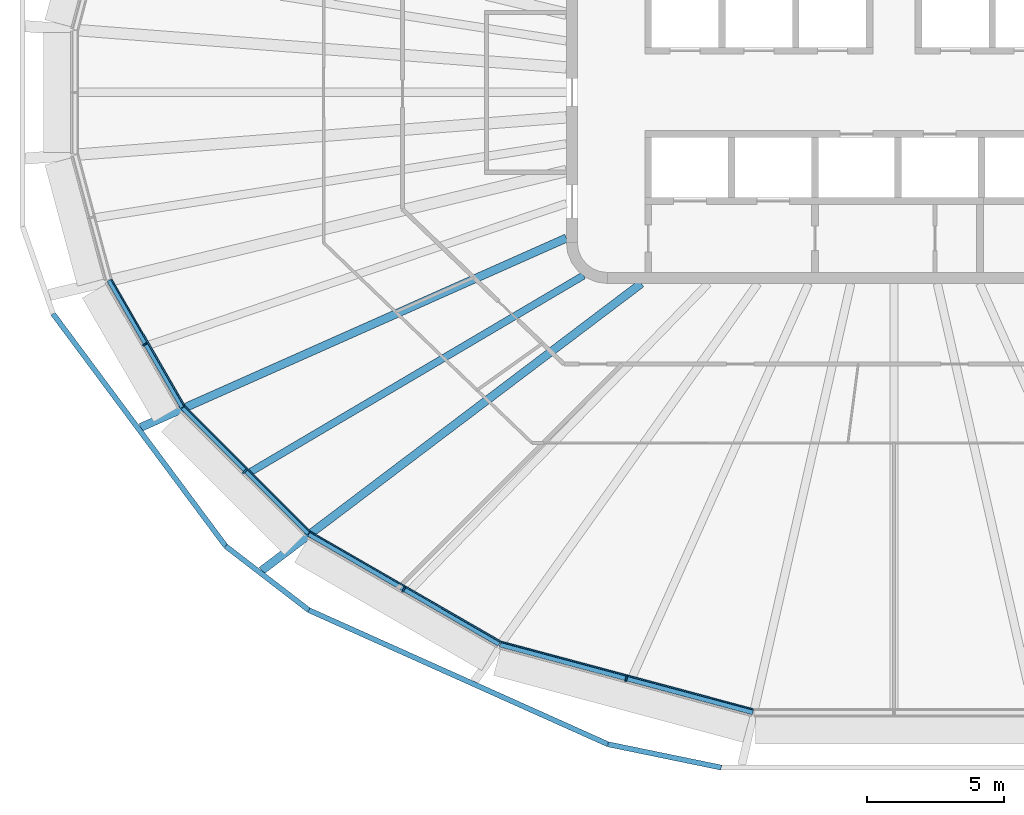
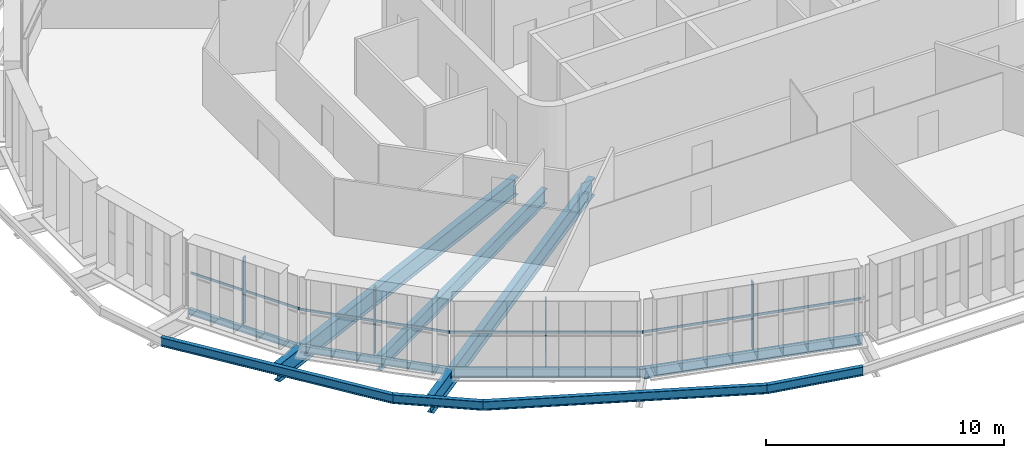
# One storey, part 1 of 21: 11 beams, 8 members, 4 elements without a shape of their own.
"""IFC4 building model written with IfcOpenShell, lengths in metres."""

from ifc_helpers import new_model, si_unit, direction, frame, origin, origin_2d, place, context, subcontext, project, spatial, rectangle, i_section, extrude, material, layer, layer_set, material_profile, profile_set, type_object, element, aggregate, save


model = new_model("IFC4")

# Units and contexts
model_context = context("Model", 3, precision=1e-05, world=origin(), true_north=direction((0.0, 1.0)))
body_context = subcontext(model_context, "Body", "Model", "MODEL_VIEW")
ifc_project = project(units=[si_unit("LENGTHUNIT", "METRE"), si_unit("AREAUNIT", "SQUARE_METRE"), si_unit("VOLUMEUNIT", "CUBIC_METRE"), si_unit("PLANEANGLEUNIT", "RADIAN"), si_unit("MASSUNIT", "GRAM", prefix="KILO")], contexts=[model_context])

# Site, building, storey
site_placement = place(None, origin())
site = spatial("IfcSite", under=ifc_project, at=site_placement, CompositionType="ELEMENT")
building_placement = place(site_placement, origin())
building = spatial("IfcBuilding", under=site, at=building_placement, Name="Sahrelin Media Tower", CompositionType="ELEMENT")
storey_placement = place(building_placement, frame((0.0, 0.0, 263.0)))
storey = spatial("IfcBuildingStorey", under=building, at=storey_placement, Name="L57", CompositionType="ELEMENT", Elevation=263.0)

# Beams
ifc_material_1 = material(Name="Steel S355", Category="steel")
ifc_material_profile_1 = material_profile(ifc_material_1, i_section(OverallWidth=0.1650390625, OverallDepth=0.303466796875, WebThickness=0.006103515625, FlangeThickness=0.01025390625, FilletRadius=0.0087890625, at=origin_2d()), Name="UB 305x165x40")
ifc_profile_set_1 = profile_set([ifc_material_profile_1], Name="Steel S355")
beam_type_1 = type_object("IfcBeamType", Name="Edge beam EB2", PredefinedType="BEAM", material=ifc_profile_set_1)
beam_1_placement = place(storey_placement, frame((-26.064697265625, -11.53662109375, -0.3017578125), z_axis=(-0.499996591357, 0.866027371756, 0.0), x_axis=(-0.866027371756, -0.499996591357, 0.0)))
element("IfcBeam", 1, at=beam_1_placement, inside=storey, type_object=beam_type_1, Name="Edge beam L57-08", PredefinedType="BEAM", context=body_context, shape_type="SweptSolid", body=[
    extrude(i_section(OverallWidth=0.1650390625, OverallDepth=0.303466796875, WebThickness=0.006103515625, FlangeThickness=0.01025390625, FilletRadius=0.0087890625, at=origin_2d()), origin(), (0.0, 0.0, 1.0), 5.37060546875),
])
ifc_material_profile_2 = material_profile(ifc_material_1, i_section(OverallWidth=0.17138671875, OverallDepth=0.35498046875, WebThickness=0.00732421875, FlangeThickness=0.011474609375, FilletRadius=0.01025390625, at=origin_2d()), Name="UB 356x171x51")
ifc_profile_set_2 = profile_set([ifc_material_profile_2], Name="Steel S355")
beam_type_2 = type_object("IfcBeamType", Name="Edge beam EB3", PredefinedType="BEAM", material=ifc_profile_set_2)
beam_2_placement = place(storey_placement, frame((-21.451904296875, -16.154541015625, -0.327392578125), z_axis=(-0.707106781187, 0.707106781187, 0.0), x_axis=(-0.707106781187, -0.707106781187, 0.0)))
element("IfcBeam", 2, at=beam_2_placement, inside=storey, type_object=beam_type_2, Name="Edge beam L57-07", PredefinedType="BEAM", context=body_context, shape_type="SweptSolid", body=[
    extrude(i_section(OverallWidth=0.17138671875, OverallDepth=0.35498046875, WebThickness=0.00732421875, FlangeThickness=0.011474609375, FilletRadius=0.01025390625, at=origin_2d()), origin(), (0.0, 0.0, 1.0), 6.49853515625),
])
ifc_material_profile_3 = material_profile(ifc_material_1, i_section(OverallWidth=0.1904296875, OverallDepth=0.45703125, WebThickness=0.009033203125, FlangeThickness=0.014404296875, FilletRadius=0.01025390625, at=origin_2d()), Name="UB 457x191x74")
ifc_profile_set_3 = profile_set([ifc_material_profile_3], Name="Steel S355")
beam_type_3 = type_object("IfcBeamType", Name="Edge beam EB5", PredefinedType="BEAM", material=ifc_profile_set_3)
beam_3_placement = place(storey_placement, frame((-14.4560546875, -20.197998046875, -0.37841796875), z_axis=(-0.866021478471, 0.500006798781, 0.0), x_axis=(-0.500006798781, -0.866021478471, 0.0)))
element("IfcBeam", 3, at=beam_3_placement, inside=storey, type_object=beam_type_3, Name="Edge beam L57-06", PredefinedType="BEAM", context=body_context, shape_type="SweptSolid", body=[
    extrude(i_section(OverallWidth=0.1904296875, OverallDepth=0.45703125, WebThickness=0.009033203125, FlangeThickness=0.014404296875, FilletRadius=0.01025390625, at=origin_2d()), origin(), (0.0, 0.0, 1.0), 8.0517578125),
])
ifc_material_profile_4 = material_profile(ifc_material_1, i_section(OverallWidth=0.208740234375, OverallDepth=0.5283203125, WebThickness=0.009521484375, FlangeThickness=0.01318359375, FilletRadius=0.0126953125, at=origin_2d()), Name="UB 533x210x82")
ifc_profile_set_4 = profile_set([ifc_material_profile_4], Name="Steel S355")
beam_type_4 = type_object("IfcBeamType", Name="Edge beam EB6", PredefinedType="BEAM", material=ifc_profile_set_4)
beam_4_placement = place(storey_placement, frame((-5.164306640625, -22.69140625, -0.4140625), z_axis=(-0.965930101275, 0.258803090112, 0.0), x_axis=(-0.258803090112, -0.965930101275, 0.0)))
element("IfcBeam", 4, at=beam_4_placement, inside=storey, type_object=beam_type_4, Name="Edge beam L57-05", PredefinedType="BEAM", context=body_context, shape_type="SweptSolid", body=[
    extrude(i_section(OverallWidth=0.208740234375, OverallDepth=0.5283203125, WebThickness=0.009521484375, FlangeThickness=0.01318359375, FilletRadius=0.0126953125, at=origin_2d()), origin(), (0.0, 0.0, 1.0), 9.592041015625),
])

# Curtain wall, member
ifc_material_2 = material(Name="Champagne anodised aluminium 6063-T6", Category="aluminium")
ifc_layer = layer(ifc_material_2, 0.14990234375)
ifc_layer_set = layer_set([ifc_layer], Name="Tower ribbon curtain wall")
curtain_wall_type = type_object("IfcCurtainWallType", Name="Tower ribbon curtain wall", PredefinedType="NOTDEFINED", material=ifc_layer_set)
curtain_wall_1_placement = place(storey_placement, frame((-27.537109375, -9.2861328125, 0.0), z_axis=(0.0, 0.0, 1.0), x_axis=(1.0, 0.0, 0.0)))
curtain_wall_1 = element("IfcCurtainWall", 5, at=curtain_wall_1_placement, inside=storey, type_object=curtain_wall_type, Name="L57:CW:L57-14", PredefinedType="NOTDEFINED")
ifc_material_profile_5 = material_profile(ifc_material_2, rectangle(XDim=0.06005859375, YDim=0.199951171875, at=origin_2d()), Name="Mullion 60x200")
ifc_profile_set_5 = profile_set([ifc_material_profile_5], Name="Champagne anodised aluminium 6063-T6")
member_type_1 = type_object("IfcMemberType", Name="Mullion 60x200 CW1C", PredefinedType="MULLION", material=ifc_profile_set_5)
member_1_placement = place(storey_placement, frame((-27.43310546875, -9.22607421875, 0.0), z_axis=(0.0, 0.0, 1.0), x_axis=(0.500001511499, -0.866024531118, 0.0)))
member_1 = element("IfcMember", 6, at=member_1_placement, type_object=member_type_1, Name="L57:CWM:L57-14", PredefinedType="MULLION", context=body_context, shape_type="SweptSolid", body=[
    extrude(rectangle(XDim=0.06005859375, YDim=0.199951171875, at=origin_2d()), origin(), (0.0, 0.0, 1.0), 3.448486328125),
])

curtain_wall_2_placement = place(storey_placement, frame((-23.85546875, -13.962890625, 0.0), z_axis=(0.0, 0.0, 1.0), x_axis=(1.0, 0.0, 0.0)))
curtain_wall_2 = element("IfcCurtainWall", 7, at=curtain_wall_2_placement, inside=storey, type_object=curtain_wall_type, Name="L57:CW:L57-15", PredefinedType="NOTDEFINED")
member_2_placement = place(storey_placement, frame((-23.770751953125, -13.878173828125, 0.0), z_axis=(0.0, 0.0, 1.0), x_axis=(0.707106781187, -0.707106781187, 0.0)))
member_2 = element("IfcMember", 8, at=member_2_placement, type_object=member_type_1, Name="L57:CWM:L57-15", PredefinedType="MULLION", context=body_context, shape_type="SweptSolid", body=[
    extrude(rectangle(XDim=0.06005859375, YDim=0.199951171875, at=origin_2d()), origin(), (0.0, 0.0, 1.0), 3.448486328125),
])

curtain_wall_3_placement = place(storey_placement, frame((-18.017578125, -18.31494140625, 0.0), z_axis=(0.0, 0.0, 1.0), x_axis=(1.0, 0.0, 0.0)))
curtain_wall_3 = element("IfcCurtainWall", 9, at=curtain_wall_3_placement, inside=storey, type_object=curtain_wall_type, Name="L57:CW:L57-16", PredefinedType="NOTDEFINED")
member_3_placement = place(storey_placement, frame((-17.95751953125, -18.2109375, 0.0), z_axis=(0.0, 0.0, 1.0), x_axis=(0.866028894422, -0.49999395399, 0.0)))
member_3 = element("IfcMember", 10, at=member_3_placement, type_object=member_type_1, Name="L57:CWM:L57-16", PredefinedType="MULLION", context=body_context, shape_type="SweptSolid", body=[
    extrude(rectangle(XDim=0.06005859375, YDim=0.199951171875, at=origin_2d()), origin(), (0.0, 0.0, 1.0), 3.448486328125),
])

curtain_wall_4_placement = place(storey_placement, frame((-9.835693359375, -21.59521484375, 0.0), z_axis=(0.0, 0.0, 1.0), x_axis=(1.0, 0.0, 0.0)))
curtain_wall_4 = element("IfcCurtainWall", 11, at=curtain_wall_4_placement, inside=storey, type_object=curtain_wall_type, Name="L57:CW:L57-17", PredefinedType="NOTDEFINED")
member_4_placement = place(storey_placement, frame((-9.8046875, -21.479248046875, 0.0), z_axis=(0.0, 0.0, 1.0), x_axis=(0.965925374563, -0.258820730961, 0.0)))
member_4 = element("IfcMember", 12, at=member_4_placement, type_object=member_type_1, Name="L57:CWM:L57-17", PredefinedType="MULLION", context=body_context, shape_type="SweptSolid", body=[
    extrude(rectangle(XDim=0.06005859375, YDim=0.199951171875, at=origin_2d()), origin(), (0.0, 0.0, 1.0), 3.448486328125),
])

# Beams
ifc_material_profile_6 = material_profile(ifc_material_1, i_section(OverallWidth=0.30322265625, OverallDepth=0.903076171875, WebThickness=0.01513671875, FlangeThickness=0.020263671875, FilletRadius=0.01904296875, at=origin_2d()), Name="UB 914x305x201")
ifc_profile_set_6 = profile_set([ifc_material_profile_6], Name="Steel S355")
beam_type_5 = type_object("IfcBeamType", Name="Radial primary beam PB11", PredefinedType="BEAM", material=ifc_profile_set_6)
beam_5_placement = place(storey_placement, frame((-12.0, -5.33642578125, -0.6015625), z_axis=(-0.913726569334, -0.406329615575, 0.0), x_axis=(0.406329615575, -0.913726569334, 0.0)))
element("IfcBeam", 13, at=beam_5_placement, inside=storey, type_object=beam_type_5, Name="Radial beam L57-15", PredefinedType="BEAM", context=body_context, shape_type="SweptSolid", body=[
    extrude(i_section(OverallWidth=0.30322265625, OverallDepth=0.903076171875, WebThickness=0.01513671875, FlangeThickness=0.020263671875, FilletRadius=0.01904296875, at=origin_2d()), origin(), (0.0, 0.0, 1.0), 17.06396484375),
])
beam_6_placement = place(storey_placement, frame((-9.256103515625, -7.0, -0.6015625), z_axis=(-0.797600330432, -0.603186300321, 0.0), x_axis=(0.603186300321, -0.797600330432, 0.0)))
element("IfcBeam", 14, at=beam_6_placement, inside=storey, type_object=beam_type_5, Name="Radial beam L57-16", PredefinedType="BEAM", context=body_context, shape_type="SweptSolid", body=[
    extrude(i_section(OverallWidth=0.30322265625, OverallDepth=0.903076171875, WebThickness=0.01513671875, FlangeThickness=0.020263671875, FilletRadius=0.01904296875, at=origin_2d()), origin(), (0.0, 0.0, 1.0), 17.431396484375),
])
ifc_material_profile_7 = material_profile(ifc_material_1, i_section(OverallWidth=0.26513671875, OverallDepth=0.75390625, WebThickness=0.0126953125, FlangeThickness=0.017578125, FilletRadius=0.0166015625, at=origin_2d()), Name="UB 762x267x147")
ifc_profile_set_7 = profile_set([ifc_material_profile_7], Name="Steel S355")
beam_type_6 = type_object("IfcBeamType", Name="Radial secondary beam SB9", PredefinedType="BEAM", material=ifc_profile_set_7)
beam_7_placement = place(storey_placement, frame((-11.369873046875, -6.70703125, -0.527099609375), z_axis=(-0.861299412095, -0.508097749183, 0.0), x_axis=(0.508097749183, -0.861299412095, 0.0)))
element("IfcBeam", 15, at=beam_7_placement, inside=storey, type_object=beam_type_6, Name="Secondary beam L57-14", PredefinedType="BEAM", context=body_context, shape_type="SweptSolid", body=[
    extrude(i_section(OverallWidth=0.26513671875, OverallDepth=0.75390625, WebThickness=0.0126953125, FlangeThickness=0.017578125, FilletRadius=0.0166015625, at=origin_2d()), origin(), (0.0, 0.0, 1.0), 14.1728515625),
])
ifc_material_profile_8 = material_profile(ifc_material_1, i_section(OverallWidth=0.1904296875, OverallDepth=0.45703125, WebThickness=0.009033203125, FlangeThickness=0.014404296875, FilletRadius=0.01025390625, at=origin_2d()), Name="UB 457x191x74")
ifc_profile_set_8 = profile_set([ifc_material_profile_8], Name="Steel S355")
beam_type_7 = type_object("IfcBeamType", Name="Tie chord TC5", PredefinedType="BEAM", material=ifc_profile_set_8)
beam_8_placement = place(storey_placement, frame((-30.802734375, -8.10986328125, -0.37841796875), z_axis=(0.596554130506, -0.802572843657, 0.0), x_axis=(0.802572843657, 0.596554130506, 0.0)))
element("IfcBeam", 16, at=beam_8_placement, inside=storey, type_object=beam_type_7, Name="Tie chord L57-14", PredefinedType="BEAM", context=body_context, shape_type="SweptSolid", body=[
    extrude(i_section(OverallWidth=0.1904296875, OverallDepth=0.45703125, WebThickness=0.009033203125, FlangeThickness=0.014404296875, FilletRadius=0.01025390625, at=origin_2d()), origin(), (0.0, 0.0, 1.0), 10.60498046875),
])
beam_9_placement = place(storey_placement, frame((-24.476318359375, -16.62109375, -0.37841796875), z_axis=(0.792467790833, -0.6099137648, 0.0), x_axis=(0.6099137648, 0.792467790833, 0.0)))
element("IfcBeam", 17, at=beam_9_placement, inside=storey, type_object=beam_type_7, Name="Tie chord L57-15", PredefinedType="BEAM", context=body_context, shape_type="SweptSolid", body=[
    extrude(i_section(OverallWidth=0.1904296875, OverallDepth=0.45703125, WebThickness=0.009033203125, FlangeThickness=0.014404296875, FilletRadius=0.01025390625, at=origin_2d()), origin(), (0.0, 0.0, 1.0), 3.83544921875),
])
beam_10_placement = place(storey_placement, frame((-21.436767578125, -18.96044921875, -0.37841796875), z_axis=(0.912451749882, -0.409184315605, 0.0), x_axis=(0.409184315605, 0.912451749882, 0.0)))
element("IfcBeam", 18, at=beam_10_placement, inside=storey, type_object=beam_type_7, Name="Tie chord L57-16", PredefinedType="BEAM", context=body_context, shape_type="SweptSolid", body=[
    extrude(i_section(OverallWidth=0.1904296875, OverallDepth=0.45703125, WebThickness=0.009033203125, FlangeThickness=0.014404296875, FilletRadius=0.01025390625, at=origin_2d()), origin(), (0.0, 0.0, 1.0), 12.009521484375),
])
beam_11_placement = place(storey_placement, frame((-10.478759765625, -23.87451171875, -0.37841796875), z_axis=(0.979393768134, -0.201960013221, 0.0), x_axis=(0.201960013221, 0.979393768134, 0.0)))
element("IfcBeam", 19, at=beam_11_placement, inside=storey, type_object=beam_type_7, Name="Tie chord L57-17", PredefinedType="BEAM", context=body_context, shape_type="SweptSolid", body=[
    extrude(i_section(OverallWidth=0.1904296875, OverallDepth=0.45703125, WebThickness=0.009033203125, FlangeThickness=0.014404296875, FilletRadius=0.01025390625, at=origin_2d()), origin(), (0.0, 0.0, 1.0), 4.239501953125),
])

# Member
ifc_material_profile_9 = material_profile(ifc_material_2, rectangle(XDim=0.050048828125, YDim=0.1201171875, at=origin_2d()), Name="Transom 50x120")
ifc_profile_set_9 = profile_set([ifc_material_profile_9], Name="Champagne anodised aluminium 6063-T6")
member_type_2 = type_object("IfcMemberType", Name="Transom 50x120 CW1C", PredefinedType="USERDEFINED", material=ifc_profile_set_9)
member_5_placement = place(storey_placement, frame((-28.65966796875, -6.851806640625, 1.60009765625), z_axis=(0.500004822225, -0.866022619654, 0.0), x_axis=(0.866022619654, 0.500004822225, 0.0)))
member_5 = element("IfcMember", 20, at=member_5_placement, type_object=member_type_2, Name="L57:CWT:L57-14", ObjectType="TRANSOM", PredefinedType="USERDEFINED", context=body_context, shape_type="SweptSolid", body=[
    extrude(rectangle(XDim=0.050048828125, YDim=0.1201171875, at=origin_2d()), origin(), (0.0, 0.0, 1.0), 5.3388671875),
])

aggregate(curtain_wall_1, [member_1, member_5])

member_6_placement = place(storey_placement, frame((-25.96875, -11.50341796875, 1.60009765625), z_axis=(0.707106781187, -0.707106781187, 0.0), x_axis=(0.707106781187, 0.707106781187, 0.0)))
member_6 = element("IfcMember", 21, at=member_6_placement, type_object=member_type_2, Name="L57:CWT:L57-15", ObjectType="TRANSOM", PredefinedType="USERDEFINED", context=body_context, shape_type="SweptSolid", body=[
    extrude(rectangle(XDim=0.050048828125, YDim=0.1201171875, at=origin_2d()), origin(), (0.0, 0.0, 1.0), 6.46728515625),
])

aggregate(curtain_wall_2, [member_2, member_6])

member_7_placement = place(storey_placement, frame((-21.367919921875, -16.09765625, 1.60009765625), z_axis=(0.866020331166, -0.500008785931, 0.0), x_axis=(0.500008785931, 0.866020331166, 0.0)))
member_7 = element("IfcMember", 22, at=member_7_placement, type_object=member_type_2, Name="L57:CWT:L57-16", ObjectType="TRANSOM", PredefinedType="USERDEFINED", context=body_context, shape_type="SweptSolid", body=[
    extrude(rectangle(XDim=0.050048828125, YDim=0.1201171875, at=origin_2d()), origin(), (0.0, 0.0, 1.0), 8.020263671875),
])

aggregate(curtain_wall_3, [member_3, member_7])

member_8_placement = place(storey_placement, frame((-14.3896484375, -20.121337890625, 1.60009765625), z_axis=(0.965926963965, -0.258814799201, 0.0), x_axis=(0.258814799201, 0.965926963965, 0.0)))
member_8 = element("IfcMember", 23, at=member_8_placement, type_object=member_type_2, Name="L57:CWT:L57-17", ObjectType="TRANSOM", PredefinedType="USERDEFINED", context=body_context, shape_type="SweptSolid", body=[
    extrude(rectangle(XDim=0.050048828125, YDim=0.1201171875, at=origin_2d()), origin(), (0.0, 0.0, 1.0), 9.560302734375),
])

aggregate(curtain_wall_4, [member_4, member_8])

save(model, "model.ifc")
